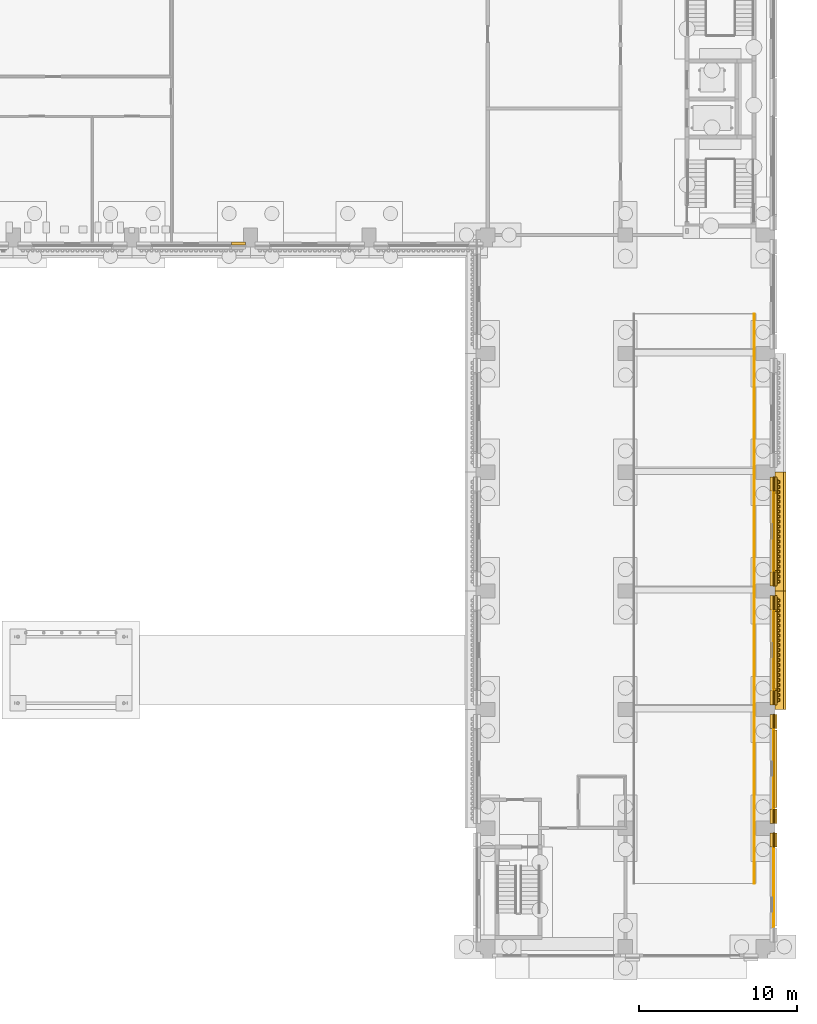
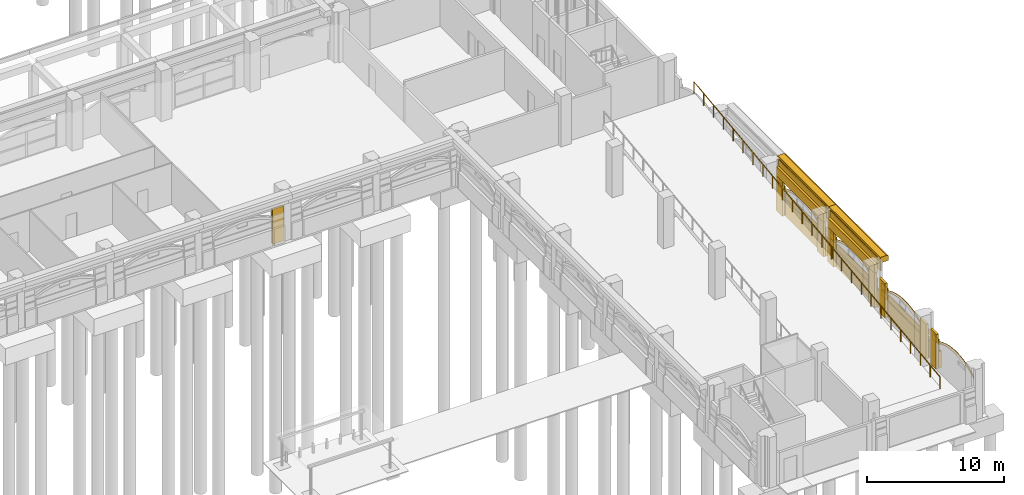
# One storey, part 82 of 99: 45 coverings, 1 railing.
"""IFC4 building model written with IfcOpenShell, lengths in metres."""

from ifc_helpers import new_model, si_unit, direction, frame, origin, origin_2d, place, context, subcontext, project, spatial, polyline, circle, outline, extrude, material, layer, layer_set, type_object, element, save


model = new_model("IFC4")

# Units and contexts
model_context = context("Model", 3, precision=1e-05, world=origin(), true_north=direction((0.0, 1.0)))
body_context = subcontext(model_context, "Body", "Model", "MODEL_VIEW")
ifc_project = project(units=[si_unit("LENGTHUNIT", "METRE"), si_unit("AREAUNIT", "SQUARE_METRE"), si_unit("VOLUMEUNIT", "CUBIC_METRE"), si_unit("PLANEANGLEUNIT", "RADIAN"), si_unit("MASSUNIT", "GRAM", prefix="KILO")], contexts=[model_context])

# Site, building, storey
site_placement = place(None, origin())
site = spatial("IfcSite", under=ifc_project, at=site_placement, CompositionType="ELEMENT")
building_placement = place(site_placement, origin())
building = spatial("IfcBuilding", under=site, at=building_placement, Name="Cour d'Honneur Mobility Palace", CompositionType="ELEMENT")
storey_placement = place(building_placement, origin())
storey = spatial("IfcBuildingStorey", under=building, at=storey_placement, Name="L00", CompositionType="ELEMENT", Elevation=0.0)

# Coverings
ifc_material_1 = material(Name="Cast limestone", Category="masonry")
ifc_layer_1 = layer(ifc_material_1, 0.050048828125)
ifc_layer_set_1 = layer_set([ifc_layer_1], Name="Cast limestone")
covering_type_1 = type_object("IfcCoveringType", Name="Arch hood", PredefinedType="CLADDING", material=ifc_layer_set_1)
for number, where, z_axis, x_axis, name in (
    (1, (163.0, 1.199951171875, 2.179931640625), (1.0, 0.0, 0.0), (0.0, 0.893604607308, 0.448854994176), "Arch hood AH-30"),
    (2, (163.0, 8.699951171875, 2.179931640625), (1.0, 0.0, 0.0), (0.0, 0.893604607308, 0.448854994176), "Arch hood AH-31"),
    (3, (163.0, 16.199951171875, 2.179931640625), (1.0, 0.0, 0.0), (0.0, 0.893604607308, 0.448854994176), "Arch hood AH-32"),
    (4, (163.0, 23.699951171875, 2.179931640625), (1.0, 0.0, 0.0), (0.0, 0.893604607308, 0.448854994176), "Arch hood AH-33"),
):
    element("IfcCovering", number, at=place(storey_placement, frame(where, z_axis=z_axis, x_axis=x_axis)), inside=storey, type_object=covering_type_1, Name=name, PredefinedType="CLADDING", context=body_context, shape_type="SweptSolid", body=[
        extrude(outline(polyline([(0.0, 0.0), (0.35681066731556765, 2.7755575615628914e-17), (0.7020064606072944, -0.022579595743628944), (1.0367907964215308, -0.06643079839719385), (1.3617125957426337, -0.129916867910564), (1.677101612077335, -0.2118373946082709), (1.9837229270167351, -0.31175705040594615), (2.2813593776637964, -0.4290203374513023), (2.570556878131994, -0.5636282580346337), (2.8512068469728096, -0.7152530632297959), (3.1229815352600987, -0.884003334485308), (3.3862076896297117, -1.070316404466126), (3.640229812229361, -1.2744094360692875), (3.885155482217271, -1.4971560923344107), (4.120218615712047, -1.7395376154593394), (4.344433961354672, -2.0029715780165787), (4.557470763348117, -2.2892043037950724), (4.656205712018263, -2.0926374700096892), (4.44327849376363, -1.8061865790438643), (4.218953564382193, -1.5429707816739562), (3.9838904308874175, -1.3005892585490275), (3.73907434463832, -1.0776244370965733), (3.484942638299858, -0.873749570680743), (3.221716483930245, -0.6874365006999249), (2.949941795642956, -0.5186862294444128), (2.6692918268021404, -0.3670614242492506), (2.3800943263339427, -0.23245350366591921), (2.0824578756868815, -0.11519021662056306), (1.7758365607474815, -0.015270560822887802), (1.460557128151593, 0.06686813106215028), (1.1355257450916771, 0.1301360353881893), (0.8007414092774409, 0.17398723804175414), (0.4556551997245267, 0.1967849989727143), (0.09873494867014648, 0.19656683378538312), (0.0, 0.0)])), origin(), (0.0, 0.0, -1.0), 0.050048828125),
    ])
ifc_material_2 = material(Name="Cast limestone", Category="masonry")
ifc_layer_2 = layer(ifc_material_2, 0.14990234375)
ifc_layer_set_2 = layer_set([ifc_layer_2], Name="Cast limestone")
covering_type_2 = type_object("IfcCoveringType", Name="Dentil course", PredefinedType="CLADDING", material=ifc_layer_set_2)
covering_1_placement = place(storey_placement, frame((0.0, 0.0, 3.949951171875)))
element("IfcCovering", 5, at=covering_1_placement, inside=storey, type_object=covering_type_2, Name="Dentil course DC-23", PredefinedType="CLADDING", context=body_context, shape_type="SweptSolid", body=[
    extrude(outline(polyline([(163.199951171875, 15.449951171875), (163.199951171875, 22.050048828125), (163.22998046875, 22.050048828125), (163.22998046875, 22.050048828125), (163.22998046875, 21.971435546875), (163.35009765625, 21.971435546875), (163.35009765625, 21.814208984375), (163.22998046875, 21.814208984375), (163.22998046875, 21.735595703125), (163.22998046875, 21.735595703125), (163.22998046875, 21.6572265625), (163.35009765625, 21.6572265625), (163.35009765625, 21.5), (163.22998046875, 21.5), (163.22998046875, 21.42138671875), (163.22998046875, 21.42138671875), (163.22998046875, 21.3427734375), (163.35009765625, 21.3427734375), (163.35009765625, 21.185791015625), (163.22998046875, 21.185791015625), (163.22998046875, 21.107177734375), (163.22998046875, 21.107177734375), (163.22998046875, 21.028564453125), (163.35009765625, 21.028564453125), (163.35009765625, 20.871337890625), (163.22998046875, 20.871337890625), (163.22998046875, 20.79296875), (163.22998046875, 20.79296875), (163.22998046875, 20.71435546875), (163.35009765625, 20.71435546875), (163.35009765625, 20.55712890625), (163.22998046875, 20.55712890625), (163.22998046875, 20.478515625), (163.22998046875, 20.478515625), (163.22998046875, 20.39990234375), (163.35009765625, 20.39990234375), (163.35009765625, 20.242919921875), (163.22998046875, 20.242919921875), (163.22998046875, 20.164306640625), (163.22998046875, 20.164306640625), (163.22998046875, 20.085693359375), (163.35009765625, 20.085693359375), (163.35009765625, 19.928466796875), (163.22998046875, 19.928466796875), (163.22998046875, 19.85009765625), (163.22998046875, 19.85009765625), (163.22998046875, 19.771484375), (163.35009765625, 19.771484375), (163.35009765625, 19.6142578125), (163.22998046875, 19.6142578125), (163.22998046875, 19.53564453125), (163.22998046875, 19.53564453125), (163.22998046875, 19.45703125), (163.35009765625, 19.45703125), (163.35009765625, 19.300048828125), (163.22998046875, 19.300048828125), (163.22998046875, 19.221435546875), (163.22998046875, 19.221435546875), (163.22998046875, 19.142822265625), (163.35009765625, 19.142822265625), (163.35009765625, 18.985595703125), (163.22998046875, 18.985595703125), (163.22998046875, 18.9072265625), (163.22998046875, 18.9072265625), (163.22998046875, 18.82861328125), (163.35009765625, 18.82861328125), (163.35009765625, 18.67138671875), (163.22998046875, 18.67138671875), (163.22998046875, 18.5927734375), (163.22998046875, 18.5927734375), (163.22998046875, 18.514404296875), (163.35009765625, 18.514404296875), (163.35009765625, 18.357177734375), (163.22998046875, 18.357177734375), (163.22998046875, 18.278564453125), (163.22998046875, 18.278564453125), (163.22998046875, 18.199951171875), (163.35009765625, 18.199951171875), (163.35009765625, 18.04296875), (163.22998046875, 18.04296875), (163.22998046875, 17.96435546875), (163.22998046875, 17.96435546875), (163.22998046875, 17.8857421875), (163.35009765625, 17.8857421875), (163.35009765625, 17.728515625), (163.22998046875, 17.728515625), (163.22998046875, 17.64990234375), (163.22998046875, 17.64990234375), (163.22998046875, 17.571533203125), (163.35009765625, 17.571533203125), (163.35009765625, 17.414306640625), (163.22998046875, 17.414306640625), (163.22998046875, 17.335693359375), (163.22998046875, 17.335693359375), (163.22998046875, 17.257080078125), (163.35009765625, 17.257080078125), (163.35009765625, 17.10009765625), (163.22998046875, 17.10009765625), (163.22998046875, 17.021484375), (163.22998046875, 17.021484375), (163.22998046875, 16.94287109375), (163.35009765625, 16.94287109375), (163.35009765625, 16.78564453125), (163.22998046875, 16.78564453125), (163.22998046875, 16.70703125), (163.22998046875, 16.70703125), (163.22998046875, 16.628662109375), (163.35009765625, 16.628662109375), (163.35009765625, 16.471435546875), (163.22998046875, 16.471435546875), (163.22998046875, 16.392822265625), (163.22998046875, 16.392822265625), (163.22998046875, 16.314208984375), (163.35009765625, 16.314208984375), (163.35009765625, 16.1572265625), (163.22998046875, 16.1572265625), (163.22998046875, 16.07861328125), (163.22998046875, 16.07861328125), (163.22998046875, 16.0), (163.35009765625, 16.0), (163.35009765625, 15.8427734375), (163.22998046875, 15.8427734375), (163.22998046875, 15.764404296875), (163.22998046875, 15.764404296875), (163.22998046875, 15.685791015625), (163.35009765625, 15.685791015625), (163.35009765625, 15.528564453125), (163.22998046875, 15.528564453125), (163.22998046875, 15.449951171875), (163.199951171875, 15.449951171875)])), origin(), (0.0, 0.0, 1.0), 0.150146484375),
])
covering_2_placement = place(storey_placement, frame((0.0, 0.0, 3.949951171875)))
element("IfcCovering", 6, at=covering_2_placement, inside=storey, type_object=covering_type_2, Name="Dentil course DC-24", PredefinedType="CLADDING", context=body_context, shape_type="SweptSolid", body=[
    extrude(outline(polyline([(163.199951171875, 22.949951171875), (163.199951171875, 29.550048828125), (163.22998046875, 29.550048828125), (163.22998046875, 29.550048828125), (163.22998046875, 29.471435546875), (163.35009765625, 29.471435546875), (163.35009765625, 29.314208984375), (163.22998046875, 29.314208984375), (163.22998046875, 29.235595703125), (163.22998046875, 29.235595703125), (163.22998046875, 29.1572265625), (163.35009765625, 29.1572265625), (163.35009765625, 29.0), (163.22998046875, 29.0), (163.22998046875, 28.92138671875), (163.22998046875, 28.92138671875), (163.22998046875, 28.8427734375), (163.35009765625, 28.8427734375), (163.35009765625, 28.685791015625), (163.22998046875, 28.685791015625), (163.22998046875, 28.607177734375), (163.22998046875, 28.607177734375), (163.22998046875, 28.528564453125), (163.35009765625, 28.528564453125), (163.35009765625, 28.371337890625), (163.22998046875, 28.371337890625), (163.22998046875, 28.29296875), (163.22998046875, 28.29296875), (163.22998046875, 28.21435546875), (163.35009765625, 28.21435546875), (163.35009765625, 28.05712890625), (163.22998046875, 28.05712890625), (163.22998046875, 27.978515625), (163.22998046875, 27.978515625), (163.22998046875, 27.89990234375), (163.35009765625, 27.89990234375), (163.35009765625, 27.742919921875), (163.22998046875, 27.742919921875), (163.22998046875, 27.664306640625), (163.22998046875, 27.664306640625), (163.22998046875, 27.585693359375), (163.35009765625, 27.585693359375), (163.35009765625, 27.428466796875), (163.22998046875, 27.428466796875), (163.22998046875, 27.35009765625), (163.22998046875, 27.35009765625), (163.22998046875, 27.271484375), (163.35009765625, 27.271484375), (163.35009765625, 27.1142578125), (163.22998046875, 27.1142578125), (163.22998046875, 27.03564453125), (163.22998046875, 27.03564453125), (163.22998046875, 26.95703125), (163.35009765625, 26.95703125), (163.35009765625, 26.800048828125), (163.22998046875, 26.800048828125), (163.22998046875, 26.721435546875), (163.22998046875, 26.721435546875), (163.22998046875, 26.642822265625), (163.35009765625, 26.642822265625), (163.35009765625, 26.485595703125), (163.22998046875, 26.485595703125), (163.22998046875, 26.4072265625), (163.22998046875, 26.4072265625), (163.22998046875, 26.32861328125), (163.35009765625, 26.32861328125), (163.35009765625, 26.17138671875), (163.22998046875, 26.17138671875), (163.22998046875, 26.0927734375), (163.22998046875, 26.0927734375), (163.22998046875, 26.014404296875), (163.35009765625, 26.014404296875), (163.35009765625, 25.857177734375), (163.22998046875, 25.857177734375), (163.22998046875, 25.778564453125), (163.22998046875, 25.778564453125), (163.22998046875, 25.699951171875), (163.35009765625, 25.699951171875), (163.35009765625, 25.54296875), (163.22998046875, 25.54296875), (163.22998046875, 25.46435546875), (163.22998046875, 25.46435546875), (163.22998046875, 25.3857421875), (163.35009765625, 25.3857421875), (163.35009765625, 25.228515625), (163.22998046875, 25.228515625), (163.22998046875, 25.14990234375), (163.22998046875, 25.14990234375), (163.22998046875, 25.071533203125), (163.35009765625, 25.071533203125), (163.35009765625, 24.914306640625), (163.22998046875, 24.914306640625), (163.22998046875, 24.835693359375), (163.22998046875, 24.835693359375), (163.22998046875, 24.757080078125), (163.35009765625, 24.757080078125), (163.35009765625, 24.60009765625), (163.22998046875, 24.60009765625), (163.22998046875, 24.521484375), (163.22998046875, 24.521484375), (163.22998046875, 24.44287109375), (163.35009765625, 24.44287109375), (163.35009765625, 24.28564453125), (163.22998046875, 24.28564453125), (163.22998046875, 24.20703125), (163.22998046875, 24.20703125), (163.22998046875, 24.128662109375), (163.35009765625, 24.128662109375), (163.35009765625, 23.971435546875), (163.22998046875, 23.971435546875), (163.22998046875, 23.892822265625), (163.22998046875, 23.892822265625), (163.22998046875, 23.814208984375), (163.35009765625, 23.814208984375), (163.35009765625, 23.6572265625), (163.22998046875, 23.6572265625), (163.22998046875, 23.57861328125), (163.22998046875, 23.57861328125), (163.22998046875, 23.5), (163.35009765625, 23.5), (163.35009765625, 23.3427734375), (163.22998046875, 23.3427734375), (163.22998046875, 23.264404296875), (163.22998046875, 23.264404296875), (163.22998046875, 23.185791015625), (163.35009765625, 23.185791015625), (163.35009765625, 23.028564453125), (163.22998046875, 23.028564453125), (163.22998046875, 22.949951171875), (163.199951171875, 22.949951171875)])), origin(), (0.0, 0.0, 1.0), 0.150146484375),
])
ifc_material_3 = material(Name="Cast limestone", Category="masonry")
ifc_layer_3 = layer(ifc_material_3, 0.699951171875)
ifc_layer_set_3 = layer_set([ifc_layer_3], Name="Cast limestone")
covering_type_3 = type_object("IfcCoveringType", Name="Entablature", PredefinedType="CLADDING", material=ifc_layer_set_3)
for number, where, z_axis, x_axis, name in (
    (7, (163.050048828125, 15.0, 3.39990234375), (0.0, -1.0, 0.0), (1.0, 0.0, 0.0), "Entablature EN-23"),
    (8, (163.050048828125, 22.5, 3.39990234375), (0.0, -1.0, 0.0), (1.0, 0.0, 0.0), "Entablature EN-24"),
):
    element("IfcCovering", number, at=place(storey_placement, frame(where, z_axis=z_axis, x_axis=x_axis)), inside=storey, type_object=covering_type_3, Name=name, PredefinedType="CLADDING", context=body_context, shape_type="SweptSolid", body=[
        extrude(outline(polyline([(0.0, 0.0), (0.14990234375, 0.0), (0.14990234375, 0.7001953125), (0.699951171875, 0.7001953125), (0.699951171875, 1.10009765625), (0.550048828125, 1.2001953125), (0.0, 1.2001953125), (0.0, 0.0)])), origin(), (0.0, 0.0, -1.0), 7.5),
    ])
ifc_material_4 = material(Name="Cast limestone", Category="masonry")
ifc_layer_4 = layer(ifc_material_4, 0.25)
ifc_layer_set_4 = layer_set([ifc_layer_4], Name="Cast limestone")
covering_type_4 = type_object("IfcCoveringType", Name="Plinth course", PredefinedType="CLADDING", material=ifc_layer_set_4)
covering_3_placement = place(storey_placement, origin())
element("IfcCovering", 9, at=covering_3_placement, inside=storey, type_object=covering_type_4, Name="Plinth course PI-90", PredefinedType="CLADDING", context=body_context, shape_type="SweptSolid", body=[
    extrude(outline(polyline([(162.949951171875, 6.300048828125), (162.949951171875, 7.199951171875), (163.199951171875, 7.199951171875), (163.199951171875, 6.300048828125), (162.949951171875, 6.300048828125)])), origin(), (0.0, 0.0, 1.0), 1.5),
])
covering_4_placement = place(storey_placement, origin())
element("IfcCovering", 10, at=covering_4_placement, inside=storey, type_object=covering_type_4, Name="Plinth course PI-92", PredefinedType="CLADDING", context=body_context, shape_type="SweptSolid", body=[
    extrude(outline(polyline([(162.949951171875, 7.800048828125), (162.949951171875, 8.699951171875), (163.199951171875, 8.699951171875), (163.199951171875, 7.800048828125), (162.949951171875, 7.800048828125)])), origin(), (0.0, 0.0, 1.0), 1.5),
])
covering_5_placement = place(storey_placement, origin())
element("IfcCovering", 11, at=covering_5_placement, inside=storey, type_object=covering_type_4, Name="Plinth course PI-93", PredefinedType="CLADDING", context=body_context, shape_type="SweptSolid", body=[
    extrude(outline(polyline([(162.949951171875, 13.800048828125), (162.949951171875, 14.699951171875), (163.199951171875, 14.699951171875), (163.199951171875, 13.800048828125), (162.949951171875, 13.800048828125)])), origin(), (0.0, 0.0, 1.0), 1.5),
])
covering_6_placement = place(storey_placement, origin())
element("IfcCovering", 12, at=covering_6_placement, inside=storey, type_object=covering_type_4, Name="Plinth course PI-94", PredefinedType="CLADDING", context=body_context, shape_type="SweptSolid", body=[
    extrude(outline(polyline([(162.949951171875, 8.800048828125), (162.949951171875, 13.699951171875), (163.199951171875, 13.699951171875), (163.199951171875, 8.800048828125), (162.949951171875, 8.800048828125)])), origin(), (0.0, 0.0, 1.0), 1.5),
])
covering_7_placement = place(storey_placement, origin())
element("IfcCovering", 13, at=covering_7_placement, inside=storey, type_object=covering_type_4, Name="Plinth course PI-95", PredefinedType="CLADDING", context=body_context, shape_type="SweptSolid", body=[
    extrude(outline(polyline([(162.949951171875, 15.300048828125), (162.949951171875, 16.199951171875), (163.199951171875, 16.199951171875), (163.199951171875, 15.300048828125), (162.949951171875, 15.300048828125)])), origin(), (0.0, 0.0, 1.0), 1.5),
])
covering_8_placement = place(storey_placement, origin())
element("IfcCovering", 14, at=covering_8_placement, inside=storey, type_object=covering_type_4, Name="Plinth course PI-96", PredefinedType="CLADDING", context=body_context, shape_type="SweptSolid", body=[
    extrude(outline(polyline([(162.949951171875, 21.300048828125), (162.949951171875, 22.199951171875), (163.199951171875, 22.199951171875), (163.199951171875, 21.300048828125), (162.949951171875, 21.300048828125)])), origin(), (0.0, 0.0, 1.0), 1.5),
])
covering_9_placement = place(storey_placement, origin())
element("IfcCovering", 15, at=covering_9_placement, inside=storey, type_object=covering_type_4, Name="Plinth course PI-97", PredefinedType="CLADDING", context=body_context, shape_type="SweptSolid", body=[
    extrude(outline(polyline([(162.949951171875, 16.300048828125), (162.949951171875, 21.199951171875), (163.199951171875, 21.199951171875), (163.199951171875, 16.300048828125), (162.949951171875, 16.300048828125)])), origin(), (0.0, 0.0, 1.0), 1.5),
])
covering_10_placement = place(storey_placement, origin())
element("IfcCovering", 16, at=covering_10_placement, inside=storey, type_object=covering_type_4, Name="Plinth course PI-98", PredefinedType="CLADDING", context=body_context, shape_type="SweptSolid", body=[
    extrude(outline(polyline([(162.949951171875, 22.800048828125), (162.949951171875, 23.699951171875), (163.199951171875, 23.699951171875), (163.199951171875, 22.800048828125), (162.949951171875, 22.800048828125)])), origin(), (0.0, 0.0, 1.0), 1.5),
])
covering_11_placement = place(storey_placement, origin())
element("IfcCovering", 17, at=covering_11_placement, inside=storey, type_object=covering_type_4, Name="Plinth course PI-99", PredefinedType="CLADDING", context=body_context, shape_type="SweptSolid", body=[
    extrude(outline(polyline([(162.949951171875, 28.800048828125), (162.949951171875, 29.699951171875), (163.199951171875, 29.699951171875), (163.199951171875, 28.800048828125), (162.949951171875, 28.800048828125)])), origin(), (0.0, 0.0, 1.0), 1.5),
])
covering_12_placement = place(storey_placement, origin())
element("IfcCovering", 18, at=covering_12_placement, inside=storey, type_object=covering_type_4, Name="Plinth course PI-100", PredefinedType="CLADDING", context=body_context, shape_type="SweptSolid", body=[
    extrude(outline(polyline([(162.949951171875, 23.800048828125), (162.949951171875, 28.699951171875), (163.199951171875, 28.699951171875), (163.199951171875, 23.800048828125), (162.949951171875, 23.800048828125)])), origin(), (0.0, 0.0, 1.0), 1.5),
])

# Railing
ifc_material_5 = material(Name="Painted steel", Category="steel")
railing_type = type_object("IfcRailingType", Name="Ramp guard 1100", PredefinedType="GUARDRAIL", material=ifc_material_5)
railing_placement = place(storey_placement, frame((161.75, 4.0, 0.0)))
element("IfcRailing", 19, at=railing_placement, inside=storey, type_object=railing_type, Name="Ramp guard Ramp East 1", PredefinedType="GUARDRAIL", context=body_context, shape_type="SweptSolid", body=[
    extrude(circle(Radius=0.02490234375, at=origin_2d()), frame((0.0, 0.0, 1.0751953125), z_axis=(0.0, 0.992277876714, 0.124034734589), x_axis=(-1.0, 0.0, 0.0)), (0.0, 0.0, 1.0), 36.2802734375),
    extrude(circle(Radius=0.02099609375, at=origin_2d()), origin(), (0.0, 0.0, 1.0), 1.050048828125),
    extrude(circle(Radius=0.02099609375, at=origin_2d()), frame((0.0, 1.43994140625, 0.179931640625)), (0.0, 0.0, 1.0), 1.050048828125),
    extrude(circle(Radius=0.02099609375, at=origin_2d()), frame((0.0, 2.8798828125, 0.360107421875)), (0.0, 0.0, 1.0), 1.050048828125),
    extrude(circle(Radius=0.02099609375, at=origin_2d()), frame((0.0, 4.320068359375, 0.5400390625)), (0.0, 0.0, 1.0), 1.050048828125),
    extrude(circle(Radius=0.02099609375, at=origin_2d()), frame((0.0, 5.760009765625, 0.719970703125)), (0.0, 0.0, 1.0), 1.050048828125),
    extrude(circle(Radius=0.02099609375, at=origin_2d()), frame((0.0, 7.199951171875, 0.89990234375)), (0.0, 0.0, 1.0), 1.050048828125),
    extrude(circle(Radius=0.02099609375, at=origin_2d()), frame((0.0, 8.639892578125, 1.080078125)), (0.0, 0.0, 1.0), 1.050048828125),
    extrude(circle(Radius=0.02099609375, at=origin_2d()), frame((0.0, 10.080078125, 1.260009765625)), (0.0, 0.0, 1.0), 1.050048828125),
    extrude(circle(Radius=0.02099609375, at=origin_2d()), frame((0.0, 11.52001953125, 1.43994140625)), (0.0, 0.0, 1.0), 1.050048828125),
    extrude(circle(Radius=0.02099609375, at=origin_2d()), frame((0.0, 12.9599609375, 1.6201171875)), (0.0, 0.0, 1.0), 1.050048828125),
    extrude(circle(Radius=0.02099609375, at=origin_2d()), frame((0.0, 14.39990234375, 1.800048828125)), (0.0, 0.0, 1.0), 1.050048828125),
    extrude(circle(Radius=0.02099609375, at=origin_2d()), frame((0.0, 15.840087890625, 1.97998046875)), (0.0, 0.0, 1.0), 1.050048828125),
    extrude(circle(Radius=0.02099609375, at=origin_2d()), frame((0.0, 17.280029296875, 2.159912109375)), (0.0, 0.0, 1.0), 1.050048828125),
    extrude(circle(Radius=0.02099609375, at=origin_2d()), frame((0.0, 18.719970703125, 2.340087890625)), (0.0, 0.0, 1.0), 1.050048828125),
    extrude(circle(Radius=0.02099609375, at=origin_2d()), frame((0.0, 20.159912109375, 2.52001953125)), (0.0, 0.0, 1.0), 1.050048828125),
    extrude(circle(Radius=0.02099609375, at=origin_2d()), frame((0.0, 21.60009765625, 2.699951171875)), (0.0, 0.0, 1.0), 1.050048828125),
    extrude(circle(Radius=0.02099609375, at=origin_2d()), frame((0.0, 23.0400390625, 2.8798828125)), (0.0, 0.0, 1.0), 1.050048828125),
    extrude(circle(Radius=0.02099609375, at=origin_2d()), frame((0.0, 24.47998046875, 3.06005859375)), (0.0, 0.0, 1.0), 1.050048828125),
    extrude(circle(Radius=0.02099609375, at=origin_2d()), frame((0.0, 25.919921875, 3.239990234375)), (0.0, 0.0, 1.0), 1.050048828125),
    extrude(circle(Radius=0.02099609375, at=origin_2d()), frame((0.0, 27.360107421875, 3.419921875)), (0.0, 0.0, 1.0), 1.050048828125),
    extrude(circle(Radius=0.02099609375, at=origin_2d()), frame((0.0, 28.800048828125, 3.60009765625)), (0.0, 0.0, 1.0), 1.050048828125),
    extrude(circle(Radius=0.02099609375, at=origin_2d()), frame((0.0, 30.239990234375, 3.780029296875)), (0.0, 0.0, 1.0), 1.050048828125),
    extrude(circle(Radius=0.02099609375, at=origin_2d()), frame((0.0, 31.679931640625, 3.9599609375)), (0.0, 0.0, 1.0), 1.050048828125),
    extrude(circle(Radius=0.02099609375, at=origin_2d()), frame((0.0, 33.1201171875, 4.139892578125)), (0.0, 0.0, 1.0), 1.050048828125),
    extrude(circle(Radius=0.02099609375, at=origin_2d()), frame((0.0, 34.56005859375, 4.320068359375)), (0.0, 0.0, 1.0), 1.050048828125),
    extrude(circle(Radius=0.02099609375, at=origin_2d()), frame((0.0, 36.0, 4.5)), (0.0, 0.0, 1.0), 1.050048828125),
])

# Coverings
ifc_material_6 = material(Name="Cast limestone", Category="masonry")
ifc_layer_5 = layer(ifc_material_6, 0.199951171875)
ifc_layer_set_5 = layer_set([ifc_layer_5], Name="Cast limestone")
covering_type_5 = type_object("IfcCoveringType", Name="Rusticated jamb panel", PredefinedType="CLADDING", material=ifc_layer_set_5)
covering_13_placement = place(storey_placement, frame((128.699951171875, 44.35009765625, 0.0), z_axis=(0.0, -1.0, 0.0), x_axis=(1.0, 0.0, 0.0)))
element("IfcCovering", 20, at=covering_13_placement, inside=storey, type_object=covering_type_5, Name="Rusticated jamb panel RP-46", PredefinedType="CLADDING", context=body_context, shape_type="SweptSolid", body=[
    extrude(outline(polyline([(0.0, 0.0), (0.900146484375, 0.0), (0.900146484375, 3.10009765625), (0.0, 3.10009765625), (0.0, 0.0)])), origin(), (0.0, 0.0, -1.0), 0.199951171875),
])
for number, where, z_axis, x_axis, name in (
    (21, (162.949951171875, 6.300048828125, 0.0), (1.0, 0.0, 0.0), (0.0, 1.0, 0.0), "Rusticated jamb panel RP-68"),
    (22, (162.949951171875, 7.800048828125, 0.0), (1.0, 0.0, 0.0), (0.0, 1.0, 0.0), "Rusticated jamb panel RP-69"),
    (23, (162.949951171875, 13.800048828125, 0.0), (1.0, 0.0, 0.0), (0.0, 1.0, 0.0), "Rusticated jamb panel RP-70"),
    (24, (162.949951171875, 15.300048828125, 0.0), (1.0, 0.0, 0.0), (0.0, 1.0, 0.0), "Rusticated jamb panel RP-71"),
    (25, (162.949951171875, 21.300048828125, 0.0), (1.0, 0.0, 0.0), (0.0, 1.0, 0.0), "Rusticated jamb panel RP-72"),
    (26, (162.949951171875, 22.800048828125, 0.0), (1.0, 0.0, 0.0), (0.0, 1.0, 0.0), "Rusticated jamb panel RP-73"),
    (27, (162.949951171875, 28.800048828125, 0.0), (1.0, 0.0, 0.0), (0.0, 1.0, 0.0), "Rusticated jamb panel RP-74"),
):
    element("IfcCovering", number, at=place(storey_placement, frame(where, z_axis=z_axis, x_axis=x_axis)), inside=storey, type_object=covering_type_5, Name=name, PredefinedType="CLADDING", context=body_context, shape_type="SweptSolid", body=[
        extrude(outline(polyline([(0.0, 0.0), (0.89990234375, 0.0), (0.89990234375, 3.10009765625), (0.0, 3.10009765625), (0.0, 0.0)])), origin(), (0.0, 0.0, -1.0), 0.199951171875),
    ])
ifc_material_7 = material(Name="Cast limestone", Category="masonry")
ifc_layer_6 = layer(ifc_material_7, 0.080078125)
ifc_layer_set_6 = layer_set([ifc_layer_6], Name="Cast limestone")
covering_type_6 = type_object("IfcCoveringType", Name="Rustication course", PredefinedType="CLADDING", material=ifc_layer_set_6)
for number, where, name in (
    (28, (0.0, 0.0, 1.5), "Rustication course RC-153"),
    (29, (0.0, 0.0, 2.10009765625), "Rustication course RC-154"),
):
    element("IfcCovering", number, at=place(storey_placement, frame(where)), inside=storey, type_object=covering_type_6, Name=name, PredefinedType="CLADDING", context=body_context, shape_type="SweptSolid", body=[
        extrude(outline(polyline([(162.949951171875, 6.300048828125), (162.949951171875, 7.199951171875), (163.030029296875, 7.199951171875), (163.030029296875, 6.300048828125), (162.949951171875, 6.300048828125)])), origin(), (0.0, 0.0, 1.0), 0.47998046875),
    ])
for number, where, name in (
    (30, (0.0, 0.0, 1.5), "Rustication course RC-156"),
    (31, (0.0, 0.0, 2.10009765625), "Rustication course RC-157"),
):
    element("IfcCovering", number, at=place(storey_placement, frame(where)), inside=storey, type_object=covering_type_6, Name=name, PredefinedType="CLADDING", context=body_context, shape_type="SweptSolid", body=[
        extrude(outline(polyline([(162.949951171875, 7.800048828125), (162.949951171875, 8.699951171875), (163.030029296875, 8.699951171875), (163.030029296875, 7.800048828125), (162.949951171875, 7.800048828125)])), origin(), (0.0, 0.0, 1.0), 0.47998046875),
    ])
for number, where, name in (
    (32, (0.0, 0.0, 1.5), "Rustication course RC-158"),
    (33, (0.0, 0.0, 2.10009765625), "Rustication course RC-159"),
):
    element("IfcCovering", number, at=place(storey_placement, frame(where)), inside=storey, type_object=covering_type_6, Name=name, PredefinedType="CLADDING", context=body_context, shape_type="SweptSolid", body=[
        extrude(outline(polyline([(162.949951171875, 13.800048828125), (162.949951171875, 14.699951171875), (163.030029296875, 14.699951171875), (163.030029296875, 13.800048828125), (162.949951171875, 13.800048828125)])), origin(), (0.0, 0.0, 1.0), 0.47998046875),
    ])
covering_14_placement = place(storey_placement, frame((0.0, 0.0, 1.6201171875)))
element("IfcCovering", 34, at=covering_14_placement, inside=storey, type_object=covering_type_6, Name="Rustication course RC-160", PredefinedType="CLADDING", context=body_context, shape_type="SweptSolid", body=[
    extrude(outline(polyline([(162.949951171875, 8.800048828125), (162.949951171875, 13.699951171875), (163.030029296875, 13.699951171875), (163.030029296875, 8.800048828125), (162.949951171875, 8.800048828125)])), origin(), (0.0, 0.0, 1.0), 0.47998046875),
])
for number, where, name in (
    (35, (0.0, 0.0, 1.5), "Rustication course RC-161"),
    (36, (0.0, 0.0, 2.10009765625), "Rustication course RC-162"),
):
    element("IfcCovering", number, at=place(storey_placement, frame(where)), inside=storey, type_object=covering_type_6, Name=name, PredefinedType="CLADDING", context=body_context, shape_type="SweptSolid", body=[
        extrude(outline(polyline([(162.949951171875, 15.300048828125), (162.949951171875, 16.199951171875), (163.030029296875, 16.199951171875), (163.030029296875, 15.300048828125), (162.949951171875, 15.300048828125)])), origin(), (0.0, 0.0, 1.0), 0.47998046875),
    ])
for number, where, name in (
    (37, (0.0, 0.0, 1.5), "Rustication course RC-163"),
    (38, (0.0, 0.0, 2.10009765625), "Rustication course RC-164"),
):
    element("IfcCovering", number, at=place(storey_placement, frame(where)), inside=storey, type_object=covering_type_6, Name=name, PredefinedType="CLADDING", context=body_context, shape_type="SweptSolid", body=[
        extrude(outline(polyline([(162.949951171875, 21.300048828125), (162.949951171875, 22.199951171875), (163.030029296875, 22.199951171875), (163.030029296875, 21.300048828125), (162.949951171875, 21.300048828125)])), origin(), (0.0, 0.0, 1.0), 0.47998046875),
    ])
covering_15_placement = place(storey_placement, frame((0.0, 0.0, 1.6201171875)))
element("IfcCovering", 39, at=covering_15_placement, inside=storey, type_object=covering_type_6, Name="Rustication course RC-165", PredefinedType="CLADDING", context=body_context, shape_type="SweptSolid", body=[
    extrude(outline(polyline([(162.949951171875, 16.300048828125), (162.949951171875, 21.199951171875), (163.030029296875, 21.199951171875), (163.030029296875, 16.300048828125), (162.949951171875, 16.300048828125)])), origin(), (0.0, 0.0, 1.0), 0.47998046875),
])
for number, where, name in (
    (40, (0.0, 0.0, 1.5), "Rustication course RC-166"),
    (41, (0.0, 0.0, 2.10009765625), "Rustication course RC-167"),
):
    element("IfcCovering", number, at=place(storey_placement, frame(where)), inside=storey, type_object=covering_type_6, Name=name, PredefinedType="CLADDING", context=body_context, shape_type="SweptSolid", body=[
        extrude(outline(polyline([(162.949951171875, 22.800048828125), (162.949951171875, 23.699951171875), (163.030029296875, 23.699951171875), (163.030029296875, 22.800048828125), (162.949951171875, 22.800048828125)])), origin(), (0.0, 0.0, 1.0), 0.47998046875),
    ])
for number, where, name in (
    (42, (0.0, 0.0, 1.5), "Rustication course RC-168"),
    (43, (0.0, 0.0, 2.10009765625), "Rustication course RC-169"),
):
    element("IfcCovering", number, at=place(storey_placement, frame(where)), inside=storey, type_object=covering_type_6, Name=name, PredefinedType="CLADDING", context=body_context, shape_type="SweptSolid", body=[
        extrude(outline(polyline([(162.949951171875, 28.800048828125), (162.949951171875, 29.699951171875), (163.030029296875, 29.699951171875), (163.030029296875, 28.800048828125), (162.949951171875, 28.800048828125)])), origin(), (0.0, 0.0, 1.0), 0.47998046875),
    ])
covering_16_placement = place(storey_placement, frame((0.0, 0.0, 1.6201171875)))
element("IfcCovering", 44, at=covering_16_placement, inside=storey, type_object=covering_type_6, Name="Rustication course RC-170", PredefinedType="CLADDING", context=body_context, shape_type="SweptSolid", body=[
    extrude(outline(polyline([(162.949951171875, 23.800048828125), (162.949951171875, 28.699951171875), (163.030029296875, 28.699951171875), (163.030029296875, 23.800048828125), (162.949951171875, 23.800048828125)])), origin(), (0.0, 0.0, 1.0), 0.47998046875),
])
ifc_material_8 = material(Name="Cast limestone", Category="masonry")
ifc_layer_7 = layer(ifc_material_8, 0.25)
ifc_layer_set_7 = layer_set([ifc_layer_7], Name="Cast limestone")
covering_type_7 = type_object("IfcCoveringType", Name="Spandrel cladding", PredefinedType="CLADDING", material=ifc_layer_set_7)
for number, where, z_axis, x_axis, name in (
    (45, (162.75, 15.300048828125, 3.10009765625), (0.0, -1.0, 0.0), (1.0, 0.0, 0.0), "Spandrel cladding SK-23"),
    (46, (162.75, 22.800048828125, 3.10009765625), (0.0, -1.0, 0.0), (1.0, 0.0, 0.0), "Spandrel cladding SK-24"),
):
    element("IfcCovering", number, at=place(storey_placement, frame(where, z_axis=z_axis, x_axis=x_axis)), inside=storey, type_object=covering_type_7, Name=name, PredefinedType="CLADDING", context=body_context, shape_type="SweptSolid", body=[
        extrude(outline(polyline([(0.0, 0.0), (0.25, 0.0), (0.25, 1.39990234375), (0.199951171875, 1.39990234375), (0.199951171875, 0.7998046875), (0.0, 0.7998046875), (0.0, 0.0)])), origin(), (0.0, 0.0, -1.0), 6.89990234375),
    ])

save(model, "model.ifc")
